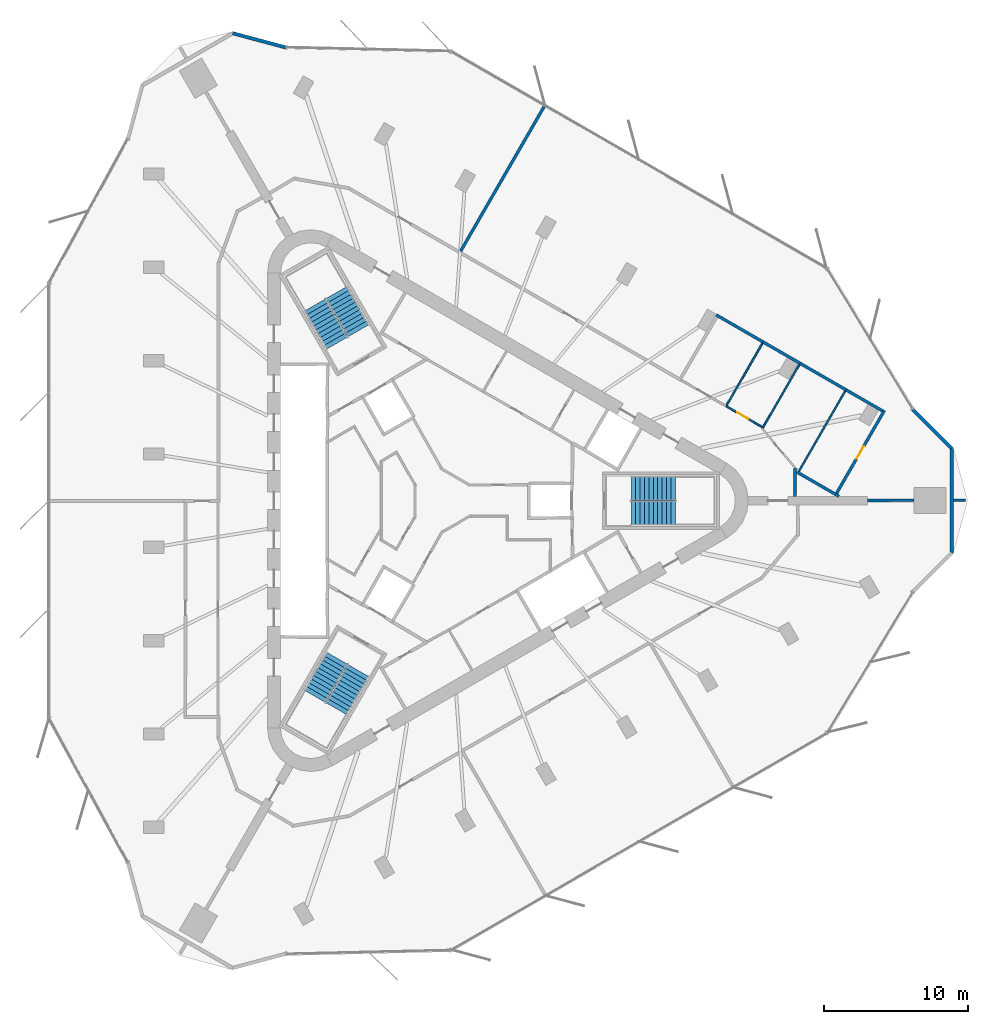
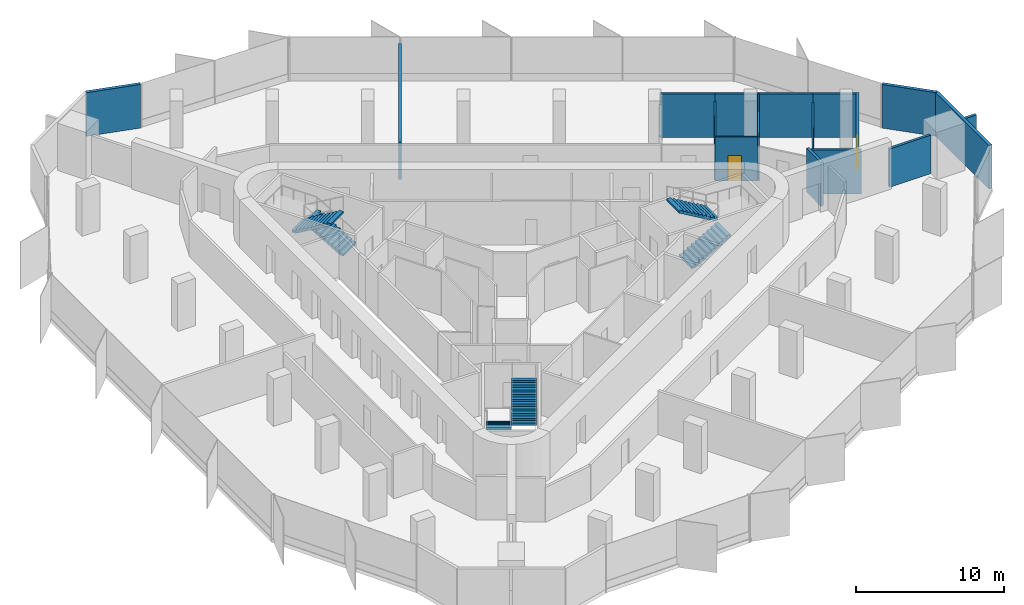
# One storey, part 11 of 12: 17 walls, 6 stair flights, 2 doors, 2 openings, 3 elements without a shape of their own.
"""IFC4 building model written with IfcOpenShell, lengths in metres."""

from ifc_helpers import new_model, si_unit, direction, frame, frame_2d, origin, place, context, subcontext, project, spatial, polyline, rectangle, outline, extrude, material, layer, layer_set, type_object, element, fill, aggregate, save


model = new_model("IFC4")

# Units and contexts
model_context = context("Model", 3, precision=1e-05, world=origin(), true_north=direction((0.0, 1.0)))
body_context = subcontext(model_context, "Body", "Model", "MODEL_VIEW")
ifc_project = project(units=[si_unit("LENGTHUNIT", "METRE"), si_unit("AREAUNIT", "SQUARE_METRE"), si_unit("VOLUMEUNIT", "CUBIC_METRE"), si_unit("PLANEANGLEUNIT", "RADIAN"), si_unit("MASSUNIT", "GRAM", prefix="KILO")], contexts=[model_context])

# Site, building, storey
site_placement = place(None, origin())
site = spatial("IfcSite", under=ifc_project, at=site_placement, CompositionType="ELEMENT")
building_placement = place(site_placement, origin())
building = spatial("IfcBuilding", under=site, at=building_placement, Name="Tanit Gate Tower", CompositionType="ELEMENT")
storey_placement = place(building_placement, frame((0.0, 0.0, 337.699951171875)))
storey = spatial("IfcBuildingStorey", under=building, at=storey_placement, Name="L76", CompositionType="ELEMENT", Elevation=337.699951171875)

# Walls
ifc_material_1 = material(Name="Concrete C30/37 with bronze anodised aluminium cladding", Category="concrete")
ifc_layer_1 = layer(ifc_material_1, 0.239990234375)
ifc_layer_set_1 = layer_set([ifc_layer_1], Name="Facade wall bronze clad 240")
wall_type_1 = type_object("IfcWallType", Name="Facade wall bronze clad 240", PredefinedType="SOLIDWALL", material=ifc_layer_set_1)
wall_1_placement = place(storey_placement, frame((-10.842529296875, 31.392578125, 0.0), z_axis=(0.0, 0.0, 1.0), x_axis=(-0.965919344782, 0.258843233206, 0.0)))
element("IfcWall", 1, at=wall_1_placement, inside=storey, type_object=wall_type_1, Name="Bronze-clad facade wall L76 NW.arc1", PredefinedType="SOLIDWALL", context=body_context, shape_type="SweptSolid", body=[
    extrude(rectangle(XDim=3.79638671875, YDim=0.239990234375, at=frame_2d((1.898193359375, 0.0))), origin(), (0.0, 0.0, 1.0), 3.60009765625),
])
wall_2_placement = place(storey_placement, frame((35.29248046875, -3.6220703125, 0.0), z_axis=(0.0, 0.0, 1.0), x_axis=(0.0, 1.0, 0.0)))
element("IfcWall", 2, at=wall_2_placement, inside=storey, type_object=wall_type_1, Name="Bronze-clad facade wall L76 E.arc2", PredefinedType="SOLIDWALL", context=body_context, shape_type="SweptSolid", body=[
    extrude(rectangle(XDim=7.244140625, YDim=0.239990234375, at=frame_2d((3.6220703125, 0.0))), origin(), (0.0, 0.0, 1.0), 3.60009765625),
])
wall_3_placement = place(storey_placement, frame((35.29248046875, 3.6220703125, 0.0), z_axis=(0.0, 0.0, 1.0), x_axis=(-0.707106781187, 0.707106781187, 0.0)))
element("IfcWall", 3, at=wall_3_placement, inside=storey, type_object=wall_type_1, Name="Bronze-clad facade wall L76 E.arc3", PredefinedType="SOLIDWALL", context=body_context, shape_type="SweptSolid", body=[
    extrude(rectangle(XDim=3.796142578125, YDim=0.239990234375, at=frame_2d((1.89794921875, 0.0))), origin(), (0.0, 0.0, 1.0), 3.60009765625),
])
ifc_material_2 = material(Name="Fire-rated gypsum board partition")
ifc_layer_2 = layer(ifc_material_2, 0.199951171875)
ifc_layer_set_2 = layer_set([ifc_layer_2], Name="INT-WALL-COMPARTMENT")
wall_type_2 = type_object("IfcWallType", Name="INT-WALL-COMPARTMENT", PredefinedType="PARTITIONING", material=ifc_layer_set_2)
wall_4_placement = place(storey_placement, frame((24.420654296875, 0.300048828125, 0.0), z_axis=(0.0, 0.0, 1.0), x_axis=(0.014331902383, 0.999897293013, 0.0)))
element("IfcWall", 4, at=wall_4_placement, inside=storey, type_object=wall_type_2, Name="Wall Compartment W098", PredefinedType="PARTITIONING", context=body_context, shape_type="SweptSolid", body=[
    extrude(rectangle(XDim=1.97607421875, YDim=0.199951171875, at=frame_2d((0.988037109375, 0.0))), origin(), (0.0, 0.0, 1.0), 3.60009765625),
])
wall_5_placement = place(storey_placement, frame((35.412353515625, 0.030029296875, 0.0), z_axis=(0.0, 0.0, 1.0), x_axis=(1.0, 0.0, 0.0)))
element("IfcWall", 5, at=wall_5_placement, inside=storey, type_object=wall_type_2, Name="Wall Compartment W116", PredefinedType="PARTITIONING", context=body_context, shape_type="SweptSolid", body=[
    extrude(rectangle(XDim=0.842529296875, YDim=0.199951171875, at=frame_2d((0.42138671875, 0.0))), origin(), (0.0, 0.0, 1.0), 3.60009765625),
])
wall_6_placement = place(storey_placement, frame((7.1044921875, 27.373291015625, 0.0), z_axis=(0.0, 0.0, 1.0), x_axis=(-0.500060220848, -0.86599063247, 0.0)))
element("IfcWall", 6, at=wall_6_placement, inside=storey, type_object=wall_type_2, Name="Wall Compartment W114", PredefinedType="PARTITIONING", context=body_context, shape_type="SweptSolid", body=[
    extrude(rectangle(XDim=11.658203125, YDim=0.199951171875, at=frame_2d((5.8291015625, 0.0))), origin(), (0.0, 0.0, 1.0), 3.070068359375),
])
wall_7_placement = place(storey_placement, frame((29.470703125, 0.01806640625, 0.0), z_axis=(0.0, 0.0, 1.0), x_axis=(0.999993083977, 0.003719139364, 0.0)))
element("IfcWall", 7, at=wall_7_placement, inside=storey, type_object=wall_type_2, Name="Wall Compartment W115", PredefinedType="PARTITIONING", context=body_context, shape_type="SweptSolid", body=[
    extrude(rectangle(XDim=3.216552734375, YDim=0.199951171875, at=frame_2d((1.6083984375, 0.0))), origin(), (0.0, 0.0, 1.0), 3.170166015625),
])
wall_8_placement = place(storey_placement, frame((18.975341796875, 12.8662109375, 0.0), z_axis=(0.0, 0.0, 1.0), x_axis=(0.866007030292, -0.500031822473, 0.0)))
element("IfcWall", 8, at=wall_8_placement, inside=storey, type_object=wall_type_2, Name="Wall Compartment W117", PredefinedType="PARTITIONING", context=body_context, shape_type="SweptSolid", body=[
    extrude(rectangle(XDim=3.757080078125, YDim=0.199951171875, at=frame_2d((1.87841796875, 0.0))), origin(), (0.0, 0.0, 1.0), 3.60009765625),
])
wall_9_placement = place(storey_placement, frame((22.22900390625, 10.987548828125, 0.0), z_axis=(0.0, 0.0, 1.0), x_axis=(0.86604097052, -0.499973036653, 0.0)))
element("IfcWall", 9, at=wall_9_placement, inside=storey, type_object=wall_type_2, Name="Wall Compartment W119", PredefinedType="PARTITIONING", context=body_context, shape_type="SweptSolid", body=[
    extrude(rectangle(XDim=2.951904296875, YDim=0.199951171875, at=frame_2d((1.47607421875, 0.0))), origin(), (0.0, 0.0, 1.0), 3.60009765625),
])
wall_10_placement = place(storey_placement, frame((24.785400390625, 9.51171875, 0.0), z_axis=(0.0, 0.0, 1.0), x_axis=(0.866027105532, -0.499997052475, 0.0)))
element("IfcWall", 10, at=wall_10_placement, inside=storey, type_object=wall_type_2, Name="Wall Compartment W120", PredefinedType="PARTITIONING", context=body_context, shape_type="SweptSolid", body=[
    extrude(rectangle(XDim=3.66845703125, YDim=0.199951171875, at=frame_2d((1.834228515625, 0.0))), origin(), (0.0, 0.0, 1.0), 3.60009765625),
])
wall_11_placement = place(storey_placement, frame((27.96240234375, 7.677490234375, 0.0), z_axis=(0.0, 0.0, 1.0), x_axis=(0.866003347003, -0.50003820152, 0.0)))
element("IfcWall", 11, at=wall_11_placement, inside=storey, type_object=wall_type_2, Name="Wall Compartment W123", PredefinedType="PARTITIONING", context=body_context, shape_type="SweptSolid", body=[
    extrude(rectangle(XDim=2.922607421875, YDim=0.199951171875, at=frame_2d((1.46142578125, 0.0))), origin(), (0.0, 0.0, 1.0), 3.60009765625),
])
wall_12_placement = place(storey_placement, frame((24.544921875, 1.994873046875, 0.0), z_axis=(0.0, 0.0, 1.0), x_axis=(0.866027263711, -0.4999967785, 0.0)))
element("IfcWall", 12, at=wall_12_placement, inside=storey, type_object=wall_type_2, Name="Wall Compartment W121", PredefinedType="PARTITIONING", context=body_context, shape_type="SweptSolid", body=[
    extrude(rectangle(XDim=3.3896484375, YDim=0.199951171875, at=frame_2d((1.69482421875, 0.0))), origin(), (0.0, 0.0, 1.0), 3.60009765625),
])

# Wall, opening, door
wall_13_placement = place(storey_placement, frame((27.31494140625, 0.510986328125, 0.0), z_axis=(0.0, 0.0, 1.0), x_axis=(0.499996585558, 0.866027375104, 0.0)))
wall_13 = element("IfcWall", 13, at=wall_13_placement, inside=storey, type_object=wall_type_2, Name="Wall Compartment W122", PredefinedType="PARTITIONING", context=body_context, shape_type="SweptSolid", body=[
    extrude(rectangle(XDim=6.6298828125, YDim=0.199951171875, at=frame_2d((3.31494140625, 0.0))), origin(), (0.0, 0.0, 1.0), 3.60009765625),
])
opening_1_placement = place(wall_13_placement, frame((2.764892578125, 0.0, 0.0)))
opening_1 = element("IfcOpeningElement", 14, at=opening_1_placement, cuts=wall_13, Name="Opening F10-S21-25", PredefinedType="OPENING", context=body_context, shape_type="SweptSolid", body=[
    extrude(rectangle(XDim=1.0, YDim=2.10009765625, at=frame_2d((0.5, 1.050048828125))), frame((0.0, 0.10986328125, 0.0), z_axis=(0.0, -1.0, 0.0), x_axis=(1.0, 0.0, 0.0)), (0.0, 0.0, 1.0), 0.219970703125),
])
ifc_material_3 = material(Name="Fire-rated steel door leaf", Category="steel")
door_type_1 = type_object("IfcDoorType", Name="INT-DOOR-FIRE-1000", OperationType="NOTDEFINED", PredefinedType="USERDEFINED", material=ifc_material_3)
door_1_placement = place(opening_1_placement, origin())
door_1 = element("IfcDoor", 15, at=door_1_placement, inside=storey, type_object=door_type_1, Name="Door F10-S21-25", ObjectType="FIRE DOOR", OperationType="SINGLE_SWING_RIGHT", OverallHeight=2.10009765625, OverallWidth=1.0, PredefinedType="USERDEFINED", context=body_context, shape_type="SweptSolid", body=[
    extrude(rectangle(XDim=1.0, YDim=2.10009765625, at=frame_2d((0.5, 1.050048828125))), frame((0.0, 0.02490234375, 0.0), z_axis=(0.0, -1.0, 0.0), x_axis=(1.0, 0.0, 0.0)), (0.0, 0.0, 1.0), 0.050048828125),
])
fill(opening_1, door_1)

ifc_material_4 = material(Name="Gypsum board partition")
ifc_layer_3 = layer(ifc_material_4, 0.1201171875)
ifc_layer_set_3 = layer_set([ifc_layer_3], Name="INT-WALL-PARTITION")
wall_type_3 = type_object("IfcWallType", Name="INT-WALL-PARTITION", PredefinedType="PARTITIONING", material=ifc_layer_set_3)
wall_14_placement = place(storey_placement, frame((22.16845703125, 5.098876953125, 0.0), z_axis=(0.0, 0.0, 1.0), x_axis=(-0.866005628554, 0.500034250139, 0.0)))
wall_14 = element("IfcWall", 16, at=wall_14_placement, inside=storey, type_object=wall_type_3, Name="Wall Partition W100", PredefinedType="PARTITIONING", context=body_context, shape_type="SweptSolid", body=[
    extrude(rectangle(XDim=2.891845703125, YDim=0.1201171875, at=frame_2d((1.44580078125, 0.0))), origin(), (0.0, 0.0, 1.0), 3.60009765625),
])
opening_2_placement = place(wall_14_placement, frame((1.10009765625, 0.0, 0.0)))
opening_2 = element("IfcOpeningElement", 17, at=opening_2_placement, cuts=wall_14, Name="Opening D09-S21-23", PredefinedType="OPENING", context=body_context, shape_type="SweptSolid", body=[
    extrude(rectangle(XDim=0.89990234375, YDim=2.10009765625, at=frame_2d((0.449951171875, 1.050048828125))), frame((0.0, 0.070068359375, 0.0), z_axis=(0.0, -1.0, 0.0), x_axis=(1.0, 0.0, 0.0)), (0.0, 0.0, 1.0), 0.14013671875),
])
ifc_material_5 = material(Name="Timber door leaf", Category="wood")
door_type_2 = type_object("IfcDoorType", Name="INT-DOOR-SINGLE-900", OperationType="NOTDEFINED", PredefinedType="NOTDEFINED", material=ifc_material_5)
door_2_placement = place(opening_2_placement, origin())
door_2 = element("IfcDoor", 18, at=door_2_placement, inside=storey, type_object=door_type_2, Name="Door D09-S21-23", OperationType="SINGLE_SWING_RIGHT", OverallHeight=2.10009765625, OverallWidth=0.89990234375, PredefinedType="NOTDEFINED", context=body_context, shape_type="SweptSolid", body=[
    extrude(rectangle(XDim=0.89990234375, YDim=2.10009765625, at=frame_2d((0.449951171875, 1.050048828125))), frame((0.0, 0.02490234375, 0.0), z_axis=(0.0, -1.0, 0.0), x_axis=(1.0, 0.0, 0.0)), (0.0, 0.0, 1.0), 0.050048828125),
])
fill(opening_2, door_2)

# Walls
wall_15_placement = place(storey_placement, frame((19.694091796875, 6.5966796875, 0.0), z_axis=(0.0, 0.0, 1.0), x_axis=(0.499974753747, 0.866039979225, 0.0)))
element("IfcWall", 19, at=wall_15_placement, inside=storey, type_object=wall_type_3, Name="Wall Partition W126", PredefinedType="PARTITIONING", context=body_context, shape_type="SweptSolid", body=[
    extrude(rectangle(XDim=4.969970703125, YDim=0.1201171875, at=frame_2d((2.48486328125, 0.0))), origin(), (0.0, 0.0, 1.0), 2.969970703125),
])
wall_16_placement = place(storey_placement, frame((24.7353515625, 9.425048828125, 0.0), z_axis=(0.0, 0.0, 1.0), x_axis=(-0.500002065185, -0.866024211446, 0.0)))
element("IfcWall", 20, at=wall_16_placement, inside=storey, type_object=wall_type_3, Name="Wall Partition W127", PredefinedType="PARTITIONING", context=body_context, shape_type="SweptSolid", body=[
    extrude(rectangle(XDim=5.06396484375, YDim=0.1201171875, at=frame_2d((2.531982421875, 0.0))), origin(), (0.0, 0.0, 1.0), 3.60009765625),
])
wall_17_placement = place(storey_placement, frame((24.697265625, 2.022216796875, 0.0), z_axis=(0.0, 0.0, 1.0), x_axis=(0.500006199568, 0.866021824432, 0.0)))
element("IfcWall", 21, at=wall_17_placement, inside=storey, type_object=wall_type_3, Name="Wall Partition W128", PredefinedType="PARTITIONING", context=body_context, shape_type="SweptSolid", body=[
    extrude(rectangle(XDim=6.43017578125, YDim=0.1201171875, at=frame_2d((3.215087890625, 0.0))), origin(), (0.0, 0.0, 1.0), 2.880126953125),
])

# Stair, stair flights
ifc_material_6 = material(Name="Concrete C40/50", Category="concrete")
stair_type = type_object("IfcStairType", Name="INT-STAIR-EXIT", PredefinedType="HALF_TURN_STAIR", material=ifc_material_6)
stair_1_placement = place(storey_placement, origin())
stair_1 = element("IfcStair", 22, at=stair_1_placement, inside=storey, type_object=stair_type, Name="L76 STAIR S1", PredefinedType="HALF_TURN_STAIR")
ifc_material_7 = material(Name="Concrete C40/50", Category="concrete")
stair_flight_type = type_object("IfcStairFlightType", Name="INT-STAIR-FLIGHT", PredefinedType="STRAIGHT", material=ifc_material_7)
stair_flight_1_placement = place(storey_placement, frame((13.094970703125, -0.8525390625, 0.0), z_axis=(0.0, 0.0, 1.0), x_axis=(1.0, 0.0, 0.0)))
stair_flight_1 = element("IfcStairFlight", 23, at=stair_flight_1_placement, type_object=stair_flight_type, Name="S1 flight 1", NumberOfRisers=11, NumberOfTreads=10, PredefinedType="STRAIGHT", RiserHeight=0.177272727, TreadLength=0.3051, context=body_context, shape_type="SweptSolid", body=[
    extrude(outline(polyline([(0.0, 0.0), (0.0, 0.17724609375), (0.30517578125, 0.17724609375), (0.30517578125, 0.3544921875), (0.610107421875, 0.3544921875), (0.610107421875, 0.53173828125), (0.915283203125, 0.53173828125), (0.915283203125, 0.708984375), (1.220458984375, 0.708984375), (1.220458984375, 0.886474609375), (1.525390625, 0.886474609375), (1.525390625, 1.063720703125), (1.83056640625, 1.063720703125), (1.83056640625, 1.240966796875), (2.1357421875, 1.240966796875), (2.1357421875, 1.418212890625), (2.44091796875, 1.418212890625), (2.44091796875, 1.595458984375), (2.745849609375, 1.595458984375), (2.745849609375, 1.772705078125), (3.051025390625, 1.772705078125), (3.051025390625, 1.949951171875), (3.051025390625, 1.599365234375), (0.29833984375, 0.0), (0.0, 0.0)])), frame((0.0, 0.84765625, 0.0), z_axis=(0.0, -1.0, 0.0), x_axis=(1.0, 0.0, 0.0)), (0.0, 0.0, 1.0), 1.695068359375),
])
stair_flight_2_placement = place(storey_placement, frame((16.14599609375, 0.8525390625, 1.949951171875), z_axis=(0.0, 0.0, 1.0), x_axis=(-1.0, 0.0, 0.0)))
stair_flight_2 = element("IfcStairFlight", 24, at=stair_flight_2_placement, type_object=stair_flight_type, Name="S1 flight 2", NumberOfRisers=11, NumberOfTreads=10, PredefinedType="STRAIGHT", RiserHeight=0.177272727, TreadLength=0.3051, context=body_context, shape_type="SweptSolid", body=[
    extrude(outline(polyline([(0.0, 0.0), (0.0, 0.17724609375), (0.30517578125, 0.17724609375), (0.30517578125, 0.3544921875), (0.610107421875, 0.3544921875), (0.610107421875, 0.53173828125), (0.915283203125, 0.53173828125), (0.915283203125, 0.708984375), (1.220458984375, 0.708984375), (1.220458984375, 0.886474609375), (1.525390625, 0.886474609375), (1.525390625, 1.063720703125), (1.83056640625, 1.063720703125), (1.83056640625, 1.240966796875), (2.1357421875, 1.240966796875), (2.1357421875, 1.418212890625), (2.44091796875, 1.418212890625), (2.44091796875, 1.595458984375), (2.745849609375, 1.595458984375), (2.745849609375, 1.772705078125), (3.051025390625, 1.772705078125), (3.051025390625, 1.949951171875), (3.051025390625, 1.599365234375), (0.29833984375, 0.0), (0.0, 0.0)])), frame((0.0, 0.84765625, 0.0), z_axis=(0.0, -1.0, 0.0), x_axis=(1.0, 0.0, 0.0)), (0.0, 0.0, 1.0), 1.695068359375),
])
aggregate(stair_1, [stair_flight_1, stair_flight_2])

stair_2_placement = place(storey_placement, origin())
stair_2 = element("IfcStair", 25, at=stair_2_placement, inside=storey, type_object=stair_type, Name="L76 STAIR S2", PredefinedType="HALF_TURN_STAIR")
stair_flight_3_placement = place(storey_placement, frame((-5.808349609375, 11.766357421875, 0.0), z_axis=(0.0, 0.0, 1.0), x_axis=(-0.5, 0.866025403784, 0.0)))
stair_flight_3 = element("IfcStairFlight", 26, at=stair_flight_3_placement, type_object=stair_flight_type, Name="S2 flight 1", NumberOfRisers=11, NumberOfTreads=10, PredefinedType="STRAIGHT", RiserHeight=0.177272727, TreadLength=0.30492, context=body_context, shape_type="SweptSolid", body=[
    extrude(outline(polyline([(0.0, 0.0), (0.0, 0.17724609375), (0.304931640625, 0.17724609375), (0.304931640625, 0.3544921875), (0.60986328125, 0.3544921875), (0.60986328125, 0.53173828125), (0.914794921875, 0.53173828125), (0.914794921875, 0.708984375), (1.2197265625, 0.708984375), (1.2197265625, 0.886474609375), (1.524658203125, 0.886474609375), (1.524658203125, 1.063720703125), (1.82958984375, 1.063720703125), (1.82958984375, 1.240966796875), (2.134521484375, 1.240966796875), (2.134521484375, 1.418212890625), (2.439453125, 1.418212890625), (2.439453125, 1.595458984375), (2.744384765625, 1.595458984375), (2.744384765625, 1.772705078125), (3.04931640625, 1.772705078125), (3.04931640625, 1.949951171875), (3.04931640625, 1.599365234375), (0.29833984375, 0.0), (0.0, 0.0)])), frame((0.0, 0.84716796875, 0.0), z_axis=(0.0, -1.0, 0.0), x_axis=(1.0, 0.0, 0.0)), (0.0, 0.0, 1.0), 1.694091796875),
])
stair_flight_4_placement = place(storey_placement, frame((-8.810302734375, 13.553955078125, 1.949951171875), z_axis=(0.0, 0.0, 1.0), x_axis=(0.5, -0.866025403784, 0.0)))
stair_flight_4 = element("IfcStairFlight", 27, at=stair_flight_4_placement, type_object=stair_flight_type, Name="S2 flight 2", NumberOfRisers=11, NumberOfTreads=10, PredefinedType="STRAIGHT", RiserHeight=0.177272727, TreadLength=0.30492, context=body_context, shape_type="SweptSolid", body=[
    extrude(outline(polyline([(0.0, 0.0), (0.0, 0.17724609375), (0.304931640625, 0.17724609375), (0.304931640625, 0.3544921875), (0.60986328125, 0.3544921875), (0.60986328125, 0.53173828125), (0.914794921875, 0.53173828125), (0.914794921875, 0.708984375), (1.2197265625, 0.708984375), (1.2197265625, 0.886474609375), (1.524658203125, 0.886474609375), (1.524658203125, 1.063720703125), (1.82958984375, 1.063720703125), (1.82958984375, 1.240966796875), (2.134521484375, 1.240966796875), (2.134521484375, 1.418212890625), (2.439453125, 1.418212890625), (2.439453125, 1.595458984375), (2.744384765625, 1.595458984375), (2.744384765625, 1.772705078125), (3.04931640625, 1.772705078125), (3.04931640625, 1.949951171875), (3.04931640625, 1.599365234375), (0.29833984375, 0.0), (0.0, 0.0)])), frame((0.0, 0.84716796875, 0.0), z_axis=(0.0, -1.0, 0.0), x_axis=(1.0, 0.0, 0.0)), (0.0, 0.0, 1.0), 1.694091796875),
])
aggregate(stair_2, [stair_flight_3, stair_flight_4])

stair_3_placement = place(storey_placement, origin())
stair_3 = element("IfcStair", 28, at=stair_3_placement, inside=storey, type_object=stair_type, Name="L76 STAIR S3", PredefinedType="HALF_TURN_STAIR")
stair_flight_5_placement = place(storey_placement, frame((-7.285888671875, -10.914306640625, 0.0), z_axis=(0.0, 0.0, 1.0), x_axis=(-0.5, -0.866025403784, 0.0)))
stair_flight_5 = element("IfcStairFlight", 29, at=stair_flight_5_placement, type_object=stair_flight_type, Name="S3 flight 1", NumberOfRisers=11, NumberOfTreads=10, PredefinedType="STRAIGHT", RiserHeight=0.177272727, TreadLength=0.3051, context=body_context, shape_type="SweptSolid", body=[
    extrude(outline(polyline([(0.0, 0.0), (0.0, 0.17724609375), (0.30517578125, 0.17724609375), (0.30517578125, 0.3544921875), (0.610107421875, 0.3544921875), (0.610107421875, 0.53173828125), (0.915283203125, 0.53173828125), (0.915283203125, 0.708984375), (1.220458984375, 0.708984375), (1.220458984375, 0.886474609375), (1.525390625, 0.886474609375), (1.525390625, 1.063720703125), (1.83056640625, 1.063720703125), (1.83056640625, 1.240966796875), (2.1357421875, 1.240966796875), (2.1357421875, 1.418212890625), (2.44091796875, 1.418212890625), (2.44091796875, 1.595458984375), (2.745849609375, 1.595458984375), (2.745849609375, 1.772705078125), (3.051025390625, 1.772705078125), (3.051025390625, 1.949951171875), (3.051025390625, 1.599365234375), (0.29833984375, 0.0), (0.0, 0.0)])), frame((0.0, 0.84765625, 0.0), z_axis=(0.0, -1.0, 0.0), x_axis=(1.0, 0.0, 0.0)), (0.0, 0.0, 1.0), 1.695068359375),
])
stair_flight_6_placement = place(storey_placement, frame((-7.334716796875, -14.4091796875, 1.949951171875), z_axis=(0.0, 0.0, 1.0), x_axis=(0.5, 0.866025403784, 0.0)))
stair_flight_6 = element("IfcStairFlight", 30, at=stair_flight_6_placement, type_object=stair_flight_type, Name="S3 flight 2", NumberOfRisers=11, NumberOfTreads=10, PredefinedType="STRAIGHT", RiserHeight=0.177272727, TreadLength=0.3051, context=body_context, shape_type="SweptSolid", body=[
    extrude(outline(polyline([(0.0, 0.0), (0.0, 0.17724609375), (0.30517578125, 0.17724609375), (0.30517578125, 0.3544921875), (0.610107421875, 0.3544921875), (0.610107421875, 0.53173828125), (0.915283203125, 0.53173828125), (0.915283203125, 0.708984375), (1.220458984375, 0.708984375), (1.220458984375, 0.886474609375), (1.525390625, 0.886474609375), (1.525390625, 1.063720703125), (1.83056640625, 1.063720703125), (1.83056640625, 1.240966796875), (2.1357421875, 1.240966796875), (2.1357421875, 1.418212890625), (2.44091796875, 1.418212890625), (2.44091796875, 1.595458984375), (2.745849609375, 1.595458984375), (2.745849609375, 1.772705078125), (3.051025390625, 1.772705078125), (3.051025390625, 1.949951171875), (3.051025390625, 1.599365234375), (0.29833984375, 0.0), (0.0, 0.0)])), frame((0.0, 0.84765625, 0.0), z_axis=(0.0, -1.0, 0.0), x_axis=(1.0, 0.0, 0.0)), (0.0, 0.0, 1.0), 1.695068359375),
])
aggregate(stair_3, [stair_flight_5, stair_flight_6])

save(model, "model.ifc")
